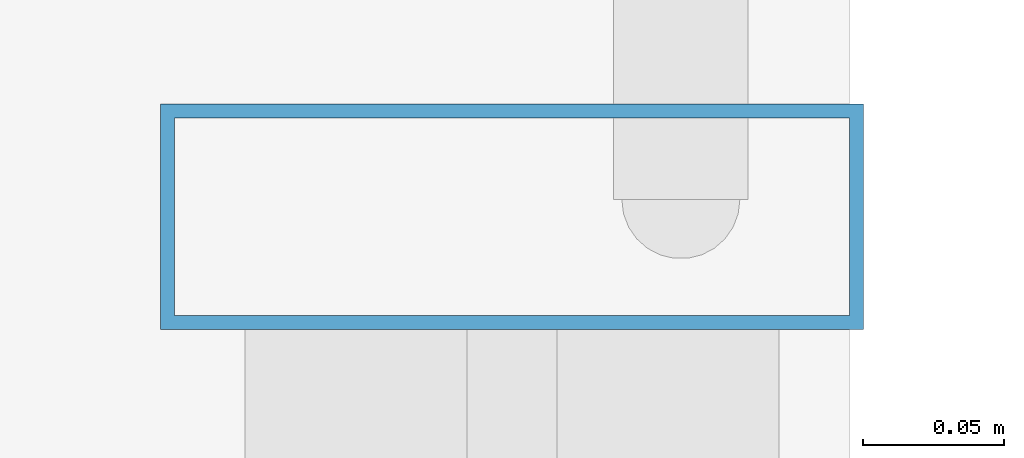
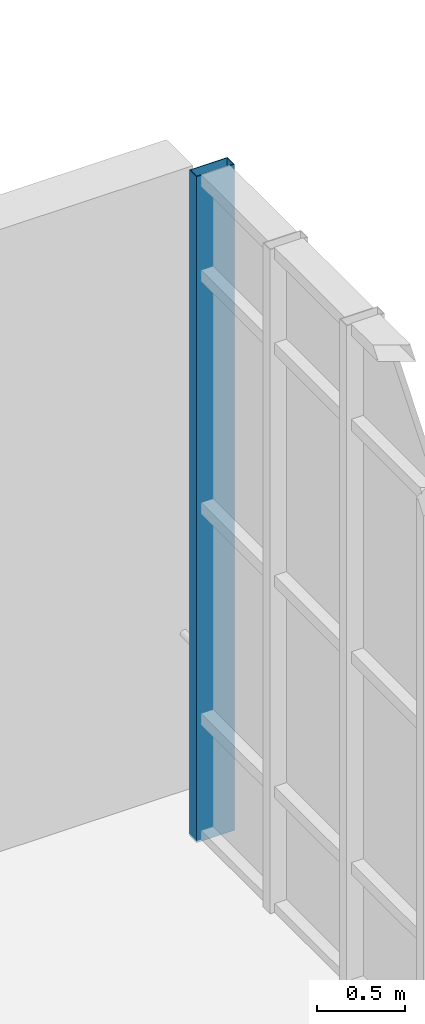
# One storey, part 58 of 142: 1 member, 1 element without a shape of its own.
"""IFC4 building model written with IfcOpenShell, lengths in metres."""

from ifc_helpers import new_model, si_unit, direction, frame, origin, origin_2d, place, context, subcontext, project, spatial, hollow_rectangle, extrude, material, layer, layer_set, material_profile, profile_set, type_object, element, aggregate, save


model = new_model("IFC4")

# Units and contexts
model_context = context("Model", 3, precision=1e-05, world=origin(), true_north=direction((0.0, 1.0)))
body_context = subcontext(model_context, "Body", "Model", "MODEL_VIEW")
ifc_project = project(units=[si_unit("LENGTHUNIT", "METRE"), si_unit("AREAUNIT", "SQUARE_METRE"), si_unit("VOLUMEUNIT", "CUBIC_METRE"), si_unit("PLANEANGLEUNIT", "RADIAN"), si_unit("MASSUNIT", "GRAM", prefix="KILO"), si_unit("THERMODYNAMICTEMPERATUREUNIT", "KELVIN"), si_unit("POWERUNIT", "WATT")], contexts=[model_context])

# Site, building, storey
site_placement = place(None, origin())
site = spatial("IfcSite", under=ifc_project, at=site_placement, CompositionType="ELEMENT")
building_placement = place(site_placement, origin())
building = spatial("IfcBuilding", under=site, at=building_placement, Name="Zelmaris Science Centre", CompositionType="ELEMENT")
storey_placement = place(building_placement, frame((0.0, 0.0, 5.39990234375)))
storey = spatial("IfcBuildingStorey", under=building, at=storey_placement, Name="L01", CompositionType="ELEMENT", Elevation=5.39990234375)

# Curtain wall, member
ifc_material = material(Name="Anodised architectural aluminium 6063-T6", Category="aluminium")
ifc_layer = layer(ifc_material, 0.18994140625, Name="Anodised architectural aluminium 6063-T6")
ifc_layer_set = layer_set([ifc_layer], Name="Anodised architectural aluminium 6063-T6")
curtain_wall_type = type_object("IfcCurtainWallType", Name="Curtain Wall CW-01", PredefinedType="USERDEFINED", material=ifc_layer_set)
curtain_wall_placement = place(storey_placement, origin())
curtain_wall = element("IfcCurtainWall", 1, at=curtain_wall_placement, inside=storey, type_object=curtain_wall_type, Name="L01 Unitised curtain wall 141", ObjectType="GLAZED CURTAIN WALL", PredefinedType="USERDEFINED")
ifc_material_profile = material_profile(ifc_material, hollow_rectangle(XDim=0.080078125, YDim=0.25, WallThickness=0.0048828125, at=origin_2d()), Name="ALU-MUL-80X250")
ifc_profile_set = profile_set([ifc_material_profile], Name="Anodised architectural aluminium 6063-T6")
member_type = type_object("IfcMemberType", Name="ALU-MUL-80X250", PredefinedType="MULLION", material=ifc_profile_set)
member_placement = place(storey_placement, frame((115.8798828125, 65.423828125, -0.014892578125), z_axis=(0.0, 0.0, 1.0), x_axis=(6.981317e-06, -0.999999999976, 0.0)))
member = element("IfcMember", 2, at=member_placement, type_object=member_type, Name="CW-01 mullion 1", PredefinedType="MULLION", context=body_context, shape_type="SweptSolid", body=[
    extrude(hollow_rectangle(XDim=0.080078125, YDim=0.25, WallThickness=0.0048828125, at=origin_2d()), origin(), (0.0, 0.0, 1.0), 4.635009765625),
])
aggregate(curtain_wall, [member])

save(model, "model.ifc")
